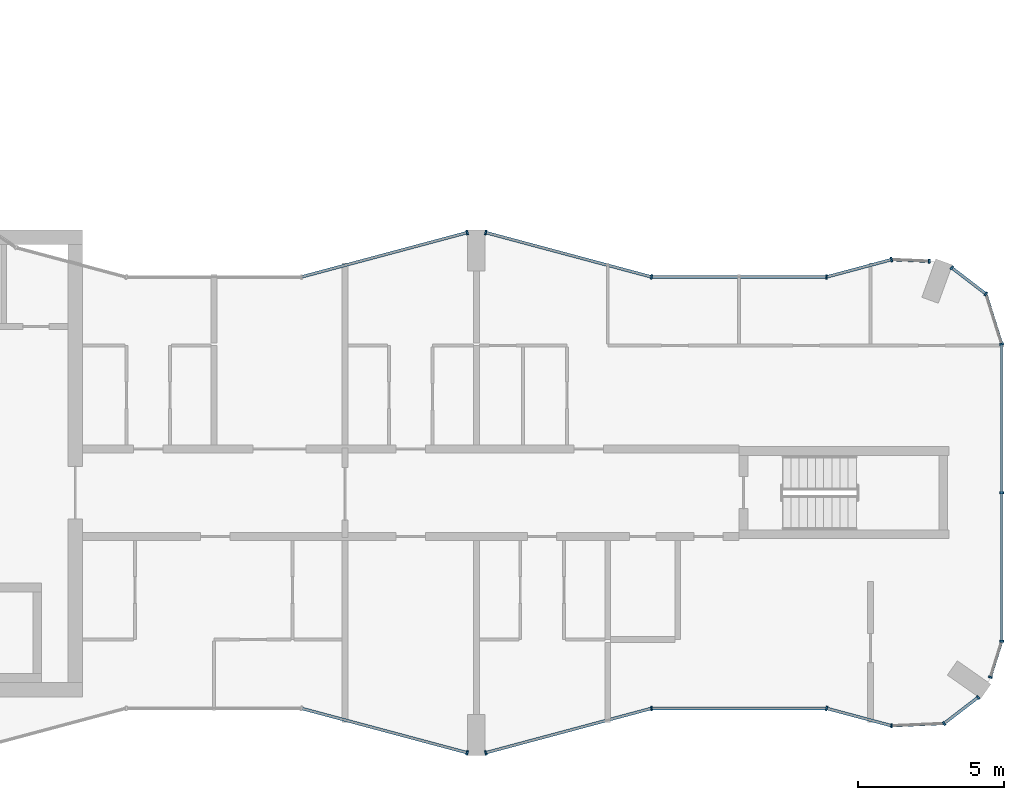
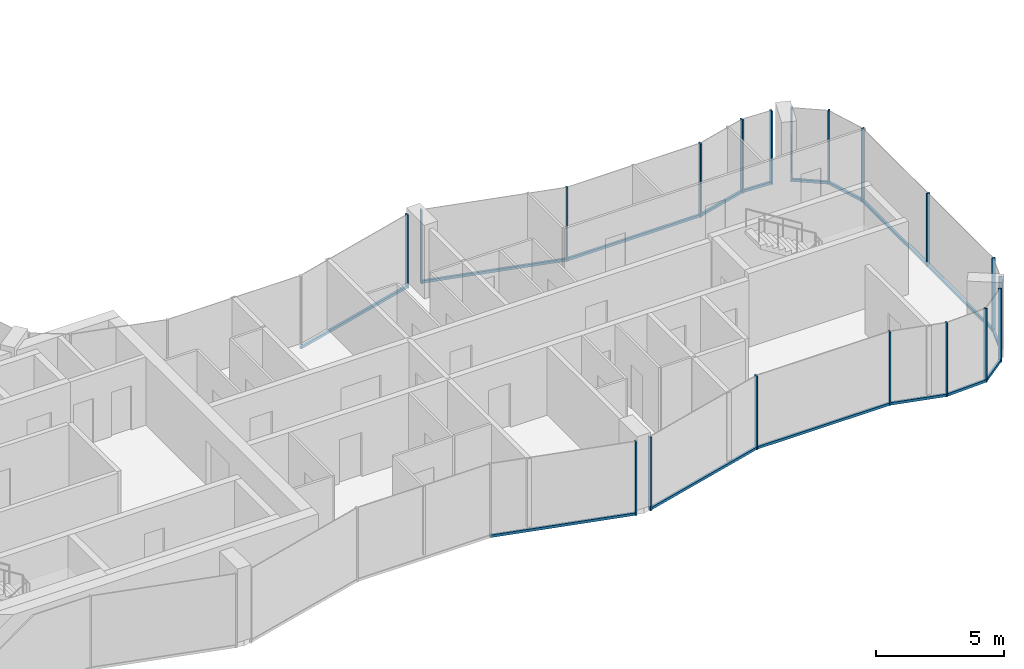
# One storey, part 6 of 16: 34 members, 15 elements without a shape of their own.
"""IFC4 building model written with IfcOpenShell, lengths in metres."""

from ifc_helpers import new_model, si_unit, direction, frame, origin, origin_2d, place, context, subcontext, project, spatial, rectangle, extrude, material, layer, layer_set, material_profile, profile_set, type_object, element, aggregate, save


model = new_model("IFC4")

# Units and contexts
model_context = context("Model", 3, precision=1e-05, world=origin(), true_north=direction((0.0, 1.0)))
body_context = subcontext(model_context, "Body", "Model", "MODEL_VIEW")
ifc_project = project(units=[si_unit("LENGTHUNIT", "METRE"), si_unit("AREAUNIT", "SQUARE_METRE"), si_unit("VOLUMEUNIT", "CUBIC_METRE"), si_unit("PLANEANGLEUNIT", "RADIAN"), si_unit("MASSUNIT", "GRAM", prefix="KILO")], contexts=[model_context])

# Site, building, storey
site_placement = place(None, origin())
site = spatial("IfcSite", under=ifc_project, at=site_placement, CompositionType="ELEMENT")
building_placement = place(site_placement, origin())
building = spatial("IfcBuilding", under=site, at=building_placement, Name="Plateau Cross Towers", CompositionType="ELEMENT")
storey_placement = place(building_placement, frame((0.0, 0.0, 215.39990234375)))
storey = spatial("IfcBuildingStorey", under=building, at=storey_placement, Name="L56", CompositionType="ELEMENT", Elevation=215.39990234375)

# Curtain wall, member
ifc_material_1 = material(Name="Dark low-iron glass", Category="glass")
ifc_layer_1 = layer(ifc_material_1, 0.239990234375)
ifc_layer_set_1 = layer_set([ifc_layer_1], Name="Dark low-iron glass")
curtain_wall_type_1 = type_object("IfcCurtainWallType", Name="Curtain wall flush unitised CW-B", PredefinedType="NOTDEFINED", material=ifc_layer_set_1)
curtain_wall_1_placement = place(storey_placement, origin())
curtain_wall_1 = element("IfcCurtainWall", 1, at=curtain_wall_1_placement, inside=storey, type_object=curtain_wall_type_1, Name="ENV/A/L56/A502_10", PredefinedType="NOTDEFINED")
ifc_material_2 = material(Name="Black anodised aluminium", Category="aluminium")
ifc_material_profile_1 = material_profile(ifc_material_2, rectangle(XDim=0.06005859375, YDim=0.139892578125, at=origin_2d()), Name="MULLION 60x140")
ifc_profile_set_1 = profile_set([ifc_material_profile_1], Name="Black anodised aluminium")
member_type_1 = type_object("IfcMemberType", Name="Mullion 60x140 flush unitised", PredefinedType="MULLION", material=ifc_profile_set_1)
member_1_placement = place(storey_placement, frame((50.223876953125, 1.01123046875, -0.25), z_axis=(0.0, 0.0, 1.0), x_axis=(0.999043701491, 0.043722791671, 0.0)))
member_1 = element("IfcMember", 2, at=member_1_placement, type_object=member_type_1, Name="CW-B mullion 1", PredefinedType="MULLION", context=body_context, shape_type="SweptSolid", body=[
    extrude(rectangle(XDim=0.06005859375, YDim=0.139892578125, at=origin_2d()), origin(), (0.0, 0.0, 1.0), 3.5),
])

# Curtain wall, members
curtain_wall_2_placement = place(storey_placement, origin())
curtain_wall_2 = element("IfcCurtainWall", 3, at=curtain_wall_2_placement, inside=storey, type_object=curtain_wall_type_1, Name="ENV/A/L56/A520_11", PredefinedType="NOTDEFINED")
member_2_placement = place(storey_placement, frame((52.0263671875, 1.090087890625, -0.25), z_axis=(0.0, 0.0, 1.0), x_axis=(0.793315514529, 0.608810721331, 0.0)))
member_2 = element("IfcMember", 4, at=member_2_placement, type_object=member_type_1, Name="CW-B mullion 1", PredefinedType="MULLION", context=body_context, shape_type="SweptSolid", body=[
    extrude(rectangle(XDim=0.06005859375, YDim=0.139892578125, at=origin_2d()), origin(), (0.0, 0.0, 1.0), 3.5),
])
member_3_placement = place(storey_placement, frame((53.193603515625, 1.986083984375, -0.25), z_axis=(0.0, 0.0, 1.0), x_axis=(0.793315514529, 0.608810721331, 0.0)))
member_3 = element("IfcMember", 5, at=member_3_placement, type_object=member_type_1, Name="CW-B mullion 2", PredefinedType="MULLION", context=body_context, shape_type="SweptSolid", body=[
    extrude(rectangle(XDim=0.06005859375, YDim=0.139892578125, at=origin_2d()), origin(), (0.0, 0.0, 1.0), 3.5),
])

# Curtain wall, member
curtain_wall_3_placement = place(storey_placement, origin())
curtain_wall_3 = element("IfcCurtainWall", 6, at=curtain_wall_3_placement, inside=storey, type_object=curtain_wall_type_1, Name="ENV/A/L56/A536_27", PredefinedType="NOTDEFINED")
member_4_placement = place(storey_placement, frame((53.611083984375, 2.67529296875, -0.25), z_axis=(0.0, 0.0, 1.0), x_axis=(0.300686174994, 0.95372313811, 0.0)))
member_4 = element("IfcMember", 7, at=member_4_placement, type_object=member_type_1, Name="CW-B mullion 1", PredefinedType="MULLION", context=body_context, shape_type="SweptSolid", body=[
    extrude(rectangle(XDim=0.06005859375, YDim=0.139892578125, at=origin_2d()), origin(), (0.0, 0.0, 1.0), 3.5),
])

# Curtain wall, members
curtain_wall_4_placement = place(storey_placement, origin())
curtain_wall_4 = element("IfcCurtainWall", 8, at=curtain_wall_4_placement, inside=storey, type_object=curtain_wall_type_1, Name="ENV/A/L56/A540_39", PredefinedType="NOTDEFINED")
member_5_placement = place(storey_placement, frame((54.0, 3.9091796875, -0.25), z_axis=(0.0, 0.0, 1.0), x_axis=(0.0, 1.0, 0.0)))
member_5 = element("IfcMember", 9, at=member_5_placement, type_object=member_type_1, Name="CW-B mullion 1", PredefinedType="MULLION", context=body_context, shape_type="SweptSolid", body=[
    extrude(rectangle(XDim=0.06005859375, YDim=0.139892578125, at=origin_2d()), origin(), (0.0, 0.0, 1.0), 3.5),
])
member_6_placement = place(storey_placement, frame((54.0, 9.0, -0.25), z_axis=(0.0, 0.0, 1.0), x_axis=(0.0, 1.0, 0.0)))
member_6 = element("IfcMember", 10, at=member_6_placement, type_object=member_type_1, Name="CW-B mullion 2", PredefinedType="MULLION", context=body_context, shape_type="SweptSolid", body=[
    extrude(rectangle(XDim=0.06005859375, YDim=0.139892578125, at=origin_2d()), origin(), (0.0, 0.0, 1.0), 3.5),
])

# Curtain wall, member
curtain_wall_5_placement = place(storey_placement, origin())
curtain_wall_5 = element("IfcCurtainWall", 11, at=curtain_wall_5_placement, inside=storey, type_object=curtain_wall_type_1, Name="ENV/A/L56/A540_141", PredefinedType="NOTDEFINED")
member_7_placement = place(storey_placement, frame((54.0, 14.0908203125, -0.25), z_axis=(0.0, 0.0, 1.0), x_axis=(-0.300686174994, 0.95372313811, 0.0)))
member_7 = element("IfcMember", 12, at=member_7_placement, type_object=member_type_1, Name="CW-B mullion 1", PredefinedType="MULLION", context=body_context, shape_type="SweptSolid", body=[
    extrude(rectangle(XDim=0.06005859375, YDim=0.139892578125, at=origin_2d()), origin(), (0.0, 0.0, 1.0), 3.5),
])

# Curtain wall, members
curtain_wall_6_placement = place(storey_placement, origin())
curtain_wall_6 = element("IfcCurtainWall", 13, at=curtain_wall_6_placement, inside=storey, type_object=curtain_wall_type_1, Name="ENV/A/L56/A535_158", PredefinedType="NOTDEFINED")
member_8_placement = place(storey_placement, frame((53.45751953125, 15.8115234375, -0.25), z_axis=(0.0, 0.0, 1.0), x_axis=(-0.793315514529, 0.608810721331, 0.0)))
member_8 = element("IfcMember", 14, at=member_8_placement, type_object=member_type_1, Name="CW-B mullion 1", PredefinedType="MULLION", context=body_context, shape_type="SweptSolid", body=[
    extrude(rectangle(XDim=0.06005859375, YDim=0.139892578125, at=origin_2d()), origin(), (0.0, 0.0, 1.0), 3.5),
])
member_9_placement = place(storey_placement, frame((52.290283203125, 16.707275390625, -0.25), z_axis=(0.0, 0.0, 1.0), x_axis=(-0.793315514529, 0.608810721331, 0.0)))
member_9 = element("IfcMember", 15, at=member_9_placement, type_object=member_type_1, Name="CW-B mullion 2", PredefinedType="MULLION", context=body_context, shape_type="SweptSolid", body=[
    extrude(rectangle(XDim=0.06005859375, YDim=0.139892578125, at=origin_2d()), origin(), (0.0, 0.0, 1.0), 3.5),
])

# Curtain wall, member
curtain_wall_7_placement = place(storey_placement, origin())
curtain_wall_7 = element("IfcCurtainWall", 16, at=curtain_wall_7_placement, inside=storey, type_object=curtain_wall_type_1, Name="ENV/A/L56/A515_169", PredefinedType="NOTDEFINED")
member_10_placement = place(storey_placement, frame((51.516357421875, 16.93212890625, -0.25), z_axis=(0.0, 0.0, 1.0), x_axis=(-0.999043701491, 0.043722791671, 0.0)))
member_10 = element("IfcMember", 17, at=member_10_placement, type_object=member_type_1, Name="CW-B mullion 1", PredefinedType="MULLION", context=body_context, shape_type="SweptSolid", body=[
    extrude(rectangle(XDim=0.06005859375, YDim=0.139892578125, at=origin_2d()), origin(), (0.0, 0.0, 1.0), 3.5),
])

ifc_layer_2 = layer(ifc_material_1, 0.260009765625)
ifc_layer_set_2 = layer_set([ifc_layer_2], Name="Dark low-iron glass")
curtain_wall_type_2 = type_object("IfcCurtainWallType", Name="Curtain wall fluted unitised CW-A", PredefinedType="NOTDEFINED", material=ifc_layer_set_2)
curtain_wall_8_placement = place(storey_placement, origin())
curtain_wall_8 = element("IfcCurtainWall", 18, at=curtain_wall_8_placement, inside=storey, type_object=curtain_wall_type_2, Name="ENV/A/L56/A300_16", PredefinedType="NOTDEFINED")
ifc_material_profile_2 = material_profile(ifc_material_2, rectangle(XDim=0.06005859375, YDim=0.159912109375, at=origin_2d()), Name="MULLION 60x160")
ifc_profile_set_2 = profile_set([ifc_material_profile_2], Name="Black anodised aluminium")
member_type_2 = type_object("IfcMemberType", Name="Mullion 60x160 fluted unitised", PredefinedType="MULLION", material=ifc_profile_set_2)
member_11_placement = place(storey_placement, frame((35.68212890625, 0.085205078125, -0.25), z_axis=(0.0, 0.0, 1.0), x_axis=(0.965957983404, -0.258699003279, 0.0)))
member_11 = element("IfcMember", 19, at=member_11_placement, type_object=member_type_2, Name="CW-A mullion 2", PredefinedType="MULLION", context=body_context, shape_type="SweptSolid", body=[
    extrude(rectangle(XDim=0.06005859375, YDim=0.159912109375, at=origin_2d()), origin(), (0.0, 0.0, 1.0), 3.5),
])

curtain_wall_9_placement = place(storey_placement, origin())
curtain_wall_9 = element("IfcCurtainWall", 20, at=curtain_wall_9_placement, inside=storey, type_object=curtain_wall_type_2, Name="ENV/A/L56/A363_1", PredefinedType="NOTDEFINED")
member_12_placement = place(storey_placement, frame((36.31787109375, 0.085205078125, -0.25), z_axis=(0.0, 0.0, 1.0), x_axis=(0.965957983404, 0.258699003279, 0.0)))
member_12 = element("IfcMember", 21, at=member_12_placement, type_object=member_type_2, Name="CW-A mullion 1", PredefinedType="MULLION", context=body_context, shape_type="SweptSolid", body=[
    extrude(rectangle(XDim=0.06005859375, YDim=0.159912109375, at=origin_2d()), origin(), (0.0, 0.0, 1.0), 3.5),
])

curtain_wall_10_placement = place(storey_placement, origin())
curtain_wall_10 = element("IfcCurtainWall", 22, at=curtain_wall_10_placement, inside=storey, type_object=curtain_wall_type_2, Name="ENV/A/L56/A420_16", PredefinedType="NOTDEFINED")
member_13_placement = place(storey_placement, frame((42.0, 1.60693359375, -0.25), z_axis=(0.0, 0.0, 1.0), x_axis=(1.0, 0.0, 0.0)))
member_13 = element("IfcMember", 23, at=member_13_placement, type_object=member_type_2, Name="CW-A mullion 1", PredefinedType="MULLION", context=body_context, shape_type="SweptSolid", body=[
    extrude(rectangle(XDim=0.06005859375, YDim=0.159912109375, at=origin_2d()), origin(), (0.0, 0.0, 1.0), 3.5),
])

curtain_wall_11_placement = place(storey_placement, origin())
curtain_wall_11 = element("IfcCurtainWall", 24, at=curtain_wall_11_placement, inside=storey, type_object=curtain_wall_type_2, Name="ENV/A/L56/A480_16", PredefinedType="NOTDEFINED")
member_14_placement = place(storey_placement, frame((48.0, 1.60693359375, -0.25), z_axis=(0.0, 0.0, 1.0), x_axis=(0.965957962328, -0.258699081978, 0.0)))
member_14 = element("IfcMember", 25, at=member_14_placement, type_object=member_type_2, Name="CW-A mullion 1", PredefinedType="MULLION", context=body_context, shape_type="SweptSolid", body=[
    extrude(rectangle(XDim=0.06005859375, YDim=0.159912109375, at=origin_2d()), origin(), (0.0, 0.0, 1.0), 3.5),
])

curtain_wall_12_placement = place(storey_placement, origin())
curtain_wall_12 = element("IfcCurtainWall", 26, at=curtain_wall_12_placement, inside=storey, type_object=curtain_wall_type_2, Name="ENV/A/L56/A502_170", PredefinedType="NOTDEFINED")
member_15_placement = place(storey_placement, frame((50.223876953125, 16.98876953125, -0.25), z_axis=(0.0, 0.0, 1.0), x_axis=(-0.965957962328, -0.258699081978, 0.0)))
member_15 = element("IfcMember", 27, at=member_15_placement, type_object=member_type_2, Name="CW-A mullion 1", PredefinedType="MULLION", context=body_context, shape_type="SweptSolid", body=[
    extrude(rectangle(XDim=0.06005859375, YDim=0.159912109375, at=origin_2d()), origin(), (0.0, 0.0, 1.0), 3.5),
])

curtain_wall_13_placement = place(storey_placement, origin())
curtain_wall_13 = element("IfcCurtainWall", 28, at=curtain_wall_13_placement, inside=storey, type_object=curtain_wall_type_2, Name="ENV/A/L56/A480_164", PredefinedType="NOTDEFINED")
member_16_placement = place(storey_placement, frame((48.0, 16.39306640625, -0.25), z_axis=(0.0, 0.0, 1.0), x_axis=(-1.0, 0.0, 0.0)))
member_16 = element("IfcMember", 29, at=member_16_placement, type_object=member_type_2, Name="CW-A mullion 1", PredefinedType="MULLION", context=body_context, shape_type="SweptSolid", body=[
    extrude(rectangle(XDim=0.06005859375, YDim=0.159912109375, at=origin_2d()), origin(), (0.0, 0.0, 1.0), 3.5),
])

# Curtain wall, members
curtain_wall_14_placement = place(storey_placement, origin())
curtain_wall_14 = element("IfcCurtainWall", 30, at=curtain_wall_14_placement, inside=storey, type_object=curtain_wall_type_2, Name="ENV/A/L56/A420_164", PredefinedType="NOTDEFINED")
member_17_placement = place(storey_placement, frame((42.0, 16.39306640625, -0.25), z_axis=(0.0, 0.0, 1.0), x_axis=(-0.965957983404, 0.258699003279, 0.0)))
member_17 = element("IfcMember", 31, at=member_17_placement, type_object=member_type_2, Name="CW-A mullion 1", PredefinedType="MULLION", context=body_context, shape_type="SweptSolid", body=[
    extrude(rectangle(XDim=0.06005859375, YDim=0.159912109375, at=origin_2d()), origin(), (0.0, 0.0, 1.0), 3.5),
])
member_18_placement = place(storey_placement, frame((36.31787109375, 17.914794921875, -0.25), z_axis=(0.0, 0.0, 1.0), x_axis=(-0.965957983404, 0.258699003279, 0.0)))
member_18 = element("IfcMember", 32, at=member_18_placement, type_object=member_type_2, Name="CW-A mullion 2", PredefinedType="MULLION", context=body_context, shape_type="SweptSolid", body=[
    extrude(rectangle(XDim=0.06005859375, YDim=0.159912109375, at=origin_2d()), origin(), (0.0, 0.0, 1.0), 3.5),
])

# Curtain wall, member
curtain_wall_15_placement = place(storey_placement, origin())
curtain_wall_15 = element("IfcCurtainWall", 33, at=curtain_wall_15_placement, inside=storey, type_object=curtain_wall_type_2, Name="ENV/A/L56/A357_179", PredefinedType="NOTDEFINED")
member_19_placement = place(storey_placement, frame((35.68212890625, 17.914794921875, -0.25), z_axis=(0.0, 0.0, 1.0), x_axis=(-0.965957983404, -0.258699003279, 0.0)))
member_19 = element("IfcMember", 34, at=member_19_placement, type_object=member_type_2, Name="CW-A mullion 1", PredefinedType="MULLION", context=body_context, shape_type="SweptSolid", body=[
    extrude(rectangle(XDim=0.06005859375, YDim=0.159912109375, at=origin_2d()), origin(), (0.0, 0.0, 1.0), 3.5),
])

# Member
ifc_material_profile_3 = material_profile(ifc_material_2, rectangle(XDim=0.10009765625, YDim=0.1201171875, at=origin_2d()), Name="TRANSOM 100x120")
ifc_profile_set_3 = profile_set([ifc_material_profile_3], Name="Black anodised aluminium")
member_type_3 = type_object("IfcMemberType", Name="Transom 100x120 flush unitised", PredefinedType="USERDEFINED", material=ifc_profile_set_3)
member_20_placement = place(storey_placement, frame((50.223876953125, 1.01123046875, -0.18994140625), z_axis=(0.999044377355, 0.043707345779, 0.0), x_axis=(-0.043707345779, 0.999044377355, 0.0)))
member_20 = element("IfcMember", 35, at=member_20_placement, type_object=member_type_3, Name="CW-B transom", ObjectType="TRANSOM", PredefinedType="USERDEFINED", context=body_context, shape_type="SweptSolid", body=[
    extrude(rectangle(XDim=0.10009765625, YDim=0.1201171875, at=origin_2d()), origin(), (0.0, 0.0, 1.0), 1.80419921875),
])

aggregate(curtain_wall_1, [member_1, member_20])

member_21_placement = place(storey_placement, frame((52.0263671875, 1.090087890625, -0.18994140625), z_axis=(0.793240368515, 0.608908628415, 0.0), x_axis=(-0.608908628415, 0.793240368515, 0.0)))
member_21 = element("IfcMember", 36, at=member_21_placement, type_object=member_type_3, Name="CW-B transom", ObjectType="TRANSOM", PredefinedType="USERDEFINED", context=body_context, shape_type="SweptSolid", body=[
    extrude(rectangle(XDim=0.10009765625, YDim=0.1201171875, at=origin_2d()), origin(), (0.0, 0.0, 1.0), 1.471435546875),
])

aggregate(curtain_wall_2, [member_2, member_3, member_21])

member_22_placement = place(storey_placement, frame((53.611083984375, 2.67529296875, -0.18994140625), z_axis=(0.300616528216, 0.953745093284, 0.0), x_axis=(-0.953745093284, 0.300616528216, 0.0)))
member_22 = element("IfcMember", 37, at=member_22_placement, type_object=member_type_3, Name="CW-B transom", ObjectType="TRANSOM", PredefinedType="USERDEFINED", context=body_context, shape_type="SweptSolid", body=[
    extrude(rectangle(XDim=0.10009765625, YDim=0.1201171875, at=origin_2d()), origin(), (0.0, 0.0, 1.0), 1.293701171875),
])

aggregate(curtain_wall_3, [member_4, member_22])

member_23_placement = place(storey_placement, frame((54.0, 3.9091796875, -0.18994140625), z_axis=(0.0, 1.0, 0.0), x_axis=(-1.0, 0.0, 0.0)))
member_23 = element("IfcMember", 38, at=member_23_placement, type_object=member_type_3, Name="CW-B transom", ObjectType="TRANSOM", PredefinedType="USERDEFINED", context=body_context, shape_type="SweptSolid", body=[
    extrude(rectangle(XDim=0.10009765625, YDim=0.1201171875, at=origin_2d()), origin(), (0.0, 0.0, 1.0), 10.181640625),
])

aggregate(curtain_wall_4, [member_5, member_6, member_23])

member_24_placement = place(storey_placement, frame((54.0, 14.0908203125, -0.18994140625), z_axis=(-0.30067799945, 0.953725715626, 0.0), x_axis=(-0.953725715626, -0.30067799945, 0.0)))
member_24 = element("IfcMember", 39, at=member_24_placement, type_object=member_type_3, Name="CW-B transom", ObjectType="TRANSOM", PredefinedType="USERDEFINED", context=body_context, shape_type="SweptSolid", body=[
    extrude(rectangle(XDim=0.10009765625, YDim=0.1201171875, at=origin_2d()), origin(), (0.0, 0.0, 1.0), 1.80419921875),
])

aggregate(curtain_wall_5, [member_7, member_24])

member_25_placement = place(storey_placement, frame((53.45751953125, 15.8115234375, -0.18994140625), z_axis=(-0.793320508571, 0.608804213751, 0.0), x_axis=(-0.608804213751, -0.793320508571, 0.0)))
member_25 = element("IfcMember", 40, at=member_25_placement, type_object=member_type_3, Name="CW-B transom", ObjectType="TRANSOM", PredefinedType="USERDEFINED", context=body_context, shape_type="SweptSolid", body=[
    extrude(rectangle(XDim=0.10009765625, YDim=0.1201171875, at=origin_2d()), origin(), (0.0, 0.0, 1.0), 1.471435546875),
])

aggregate(curtain_wall_6, [member_8, member_9, member_25])

member_26_placement = place(storey_placement, frame((51.516357421875, 16.93212890625, -0.18994140625), z_axis=(-0.999041144614, 0.043781175963, 0.0), x_axis=(-0.043781175963, -0.999041144614, 0.0)))
member_26 = element("IfcMember", 41, at=member_26_placement, type_object=member_type_3, Name="CW-B transom", ObjectType="TRANSOM", PredefinedType="USERDEFINED", context=body_context, shape_type="SweptSolid", body=[
    extrude(rectangle(XDim=0.10009765625, YDim=0.1201171875, at=origin_2d()), origin(), (0.0, 0.0, 1.0), 1.293701171875),
])

aggregate(curtain_wall_7, [member_10, member_26])

ifc_material_profile_4 = material_profile(ifc_material_2, rectangle(XDim=0.10009765625, YDim=0.1201171875, at=origin_2d()), Name="TRANSOM 100x120")
ifc_profile_set_4 = profile_set([ifc_material_profile_4], Name="Black anodised aluminium")
member_type_4 = type_object("IfcMemberType", Name="Transom 100x120 fluted unitised", PredefinedType="USERDEFINED", material=ifc_profile_set_4)
member_27_placement = place(storey_placement, frame((30.0, 1.60693359375, -0.18994140625), z_axis=(0.965959534794, -0.258693210465, 0.0), x_axis=(0.258693210465, 0.965959534794, 0.0)))
member_27 = element("IfcMember", 42, at=member_27_placement, type_object=member_type_4, Name="CW-A transom", ObjectType="TRANSOM", PredefinedType="USERDEFINED", context=body_context, shape_type="SweptSolid", body=[
    extrude(rectangle(XDim=0.10009765625, YDim=0.1201171875, at=origin_2d()), origin(), (0.0, 0.0, 1.0), 5.88232421875),
])

aggregate(curtain_wall_8, [member_11, member_27])

member_28_placement = place(storey_placement, frame((36.31787109375, 0.085205078125, -0.18994140625), z_axis=(0.965959534794, 0.258693210465, 0.0), x_axis=(-0.258693210465, 0.965959534794, 0.0)))
member_28 = element("IfcMember", 43, at=member_28_placement, type_object=member_type_4, Name="CW-A transom", ObjectType="TRANSOM", PredefinedType="USERDEFINED", context=body_context, shape_type="SweptSolid", body=[
    extrude(rectangle(XDim=0.10009765625, YDim=0.1201171875, at=origin_2d()), origin(), (0.0, 0.0, 1.0), 5.88232421875),
])

aggregate(curtain_wall_9, [member_12, member_28])

member_29_placement = place(storey_placement, frame((42.0, 1.60693359375, -0.18994140625), z_axis=(1.0, 0.0, 0.0), x_axis=(0.0, 1.0, 0.0)))
member_29 = element("IfcMember", 44, at=member_29_placement, type_object=member_type_4, Name="CW-A transom", ObjectType="TRANSOM", PredefinedType="USERDEFINED", context=body_context, shape_type="SweptSolid", body=[
    extrude(rectangle(XDim=0.10009765625, YDim=0.1201171875, at=origin_2d()), origin(), (0.0, 0.0, 1.0), 6.0),
])

aggregate(curtain_wall_10, [member_13, member_29])

member_30_placement = place(storey_placement, frame((48.0, 1.60693359375, -0.18994140625), z_axis=(0.965945685136, -0.258744919501, 0.0), x_axis=(0.258744919501, 0.965945685136, 0.0)))
member_30 = element("IfcMember", 45, at=member_30_placement, type_object=member_type_4, Name="CW-A transom", ObjectType="TRANSOM", PredefinedType="USERDEFINED", context=body_context, shape_type="SweptSolid", body=[
    extrude(rectangle(XDim=0.10009765625, YDim=0.1201171875, at=origin_2d()), origin(), (0.0, 0.0, 1.0), 2.30224609375),
])

aggregate(curtain_wall_11, [member_14, member_30])

member_31_placement = place(storey_placement, frame((50.223876953125, 16.98876953125, -0.18994140625), z_axis=(-0.965945685136, -0.258744919501, 0.0), x_axis=(0.258744919501, -0.965945685136, 0.0)))
member_31 = element("IfcMember", 46, at=member_31_placement, type_object=member_type_4, Name="CW-A transom", ObjectType="TRANSOM", PredefinedType="USERDEFINED", context=body_context, shape_type="SweptSolid", body=[
    extrude(rectangle(XDim=0.10009765625, YDim=0.1201171875, at=origin_2d()), origin(), (0.0, 0.0, 1.0), 2.30224609375),
])

aggregate(curtain_wall_12, [member_15, member_31])

member_32_placement = place(storey_placement, frame((48.0, 16.39306640625, -0.18994140625), z_axis=(-1.0, 0.0, 0.0), x_axis=(0.0, -1.0, 0.0)))
member_32 = element("IfcMember", 47, at=member_32_placement, type_object=member_type_4, Name="CW-A transom", ObjectType="TRANSOM", PredefinedType="USERDEFINED", context=body_context, shape_type="SweptSolid", body=[
    extrude(rectangle(XDim=0.10009765625, YDim=0.1201171875, at=origin_2d()), origin(), (0.0, 0.0, 1.0), 6.0),
])

aggregate(curtain_wall_13, [member_16, member_32])

member_33_placement = place(storey_placement, frame((42.0, 16.39306640625, -0.18994140625), z_axis=(-0.965959534794, 0.258693210465, 0.0), x_axis=(-0.258693210465, -0.965959534794, 0.0)))
member_33 = element("IfcMember", 48, at=member_33_placement, type_object=member_type_4, Name="CW-A transom", ObjectType="TRANSOM", PredefinedType="USERDEFINED", context=body_context, shape_type="SweptSolid", body=[
    extrude(rectangle(XDim=0.10009765625, YDim=0.1201171875, at=origin_2d()), origin(), (0.0, 0.0, 1.0), 5.88232421875),
])

aggregate(curtain_wall_14, [member_17, member_18, member_33])

member_34_placement = place(storey_placement, frame((35.68212890625, 17.914794921875, -0.18994140625), z_axis=(-0.965959534794, -0.258693210465, 0.0), x_axis=(0.258693210465, -0.965959534794, 0.0)))
member_34 = element("IfcMember", 49, at=member_34_placement, type_object=member_type_4, Name="CW-A transom", ObjectType="TRANSOM", PredefinedType="USERDEFINED", context=body_context, shape_type="SweptSolid", body=[
    extrude(rectangle(XDim=0.10009765625, YDim=0.1201171875, at=origin_2d()), origin(), (0.0, 0.0, 1.0), 5.88232421875),
])

aggregate(curtain_wall_15, [member_19, member_34])

save(model, "model.ifc")
